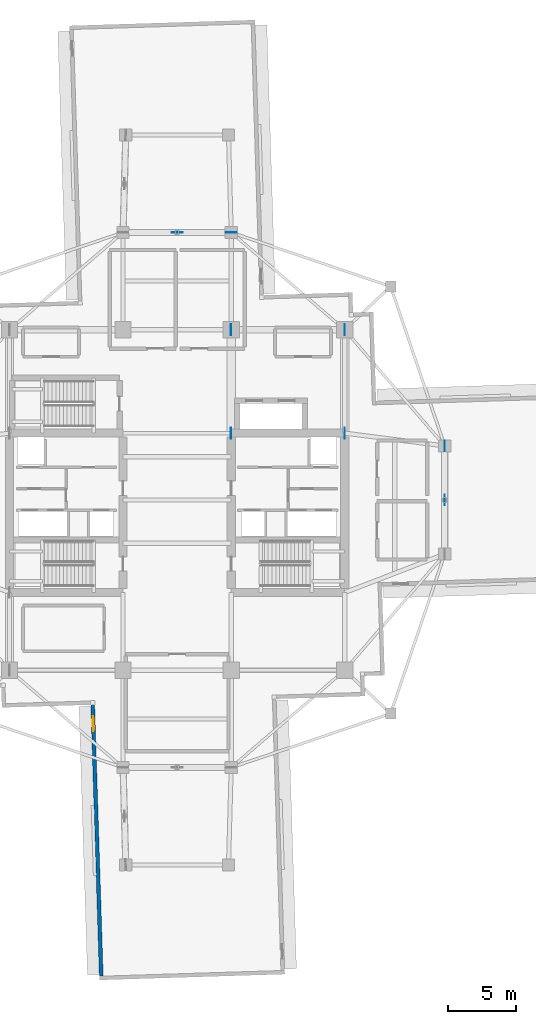
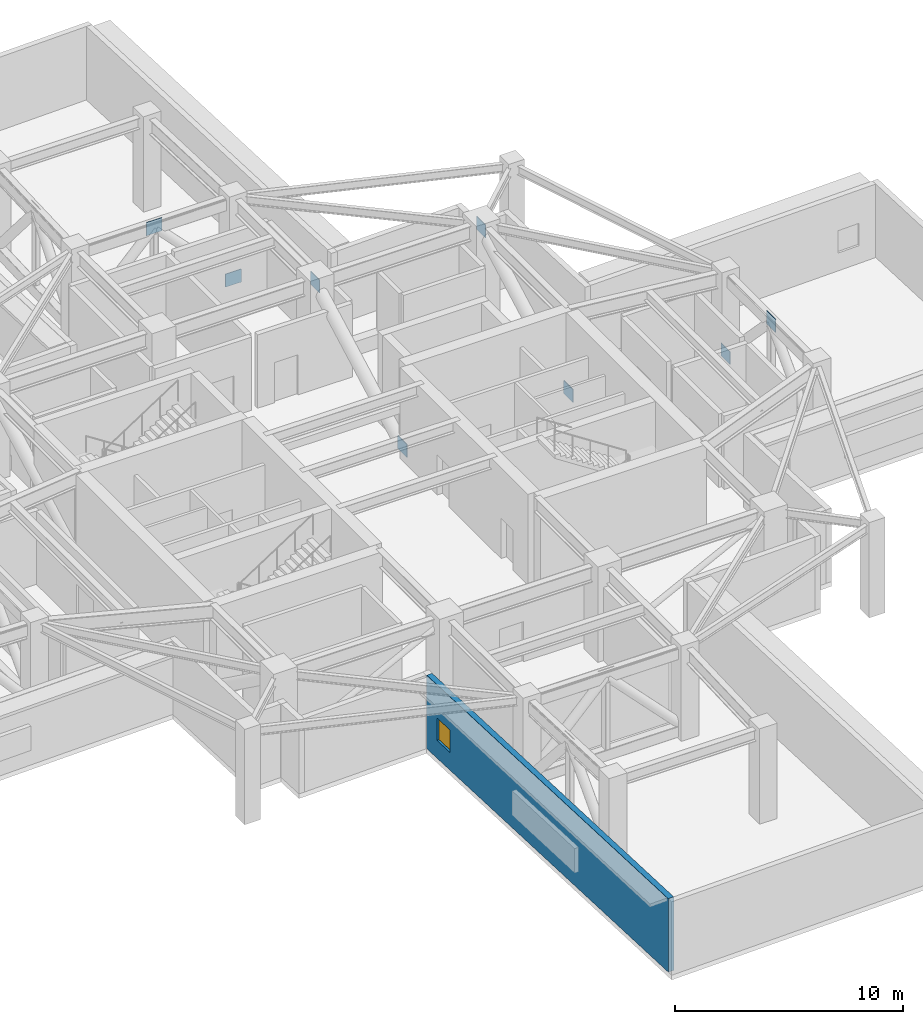
# One storey, part 8 of 17: 8 plates, 1 wall, 1 window, 1 opening.
"""IFC4 building model written with IfcOpenShell, lengths in metres."""

from ifc_helpers import new_model, si_unit, direction, frame, frame_2d, origin, origin_2d, place, context, subcontext, project, spatial, rectangle, extrude, material, layer, layer_set, type_object, element, fill, save


model = new_model("IFC4")

# Units and contexts
model_context = context("Model", 3, precision=1e-05, world=origin(), true_north=direction((0.0, 1.0)))
body_context = subcontext(model_context, "Body", "Model", "MODEL_VIEW")
ifc_project = project(units=[si_unit("LENGTHUNIT", "METRE"), si_unit("AREAUNIT", "SQUARE_METRE"), si_unit("VOLUMEUNIT", "CUBIC_METRE"), si_unit("PLANEANGLEUNIT", "RADIAN"), si_unit("MASSUNIT", "GRAM", prefix="KILO")], contexts=[model_context])

# Site, building, storey
site_placement = place(None, origin())
site = spatial("IfcSite", under=ifc_project, at=site_placement, CompositionType="ELEMENT")
building_placement = place(site_placement, origin())
building = spatial("IfcBuilding", under=site, at=building_placement, Name="Qingluan Cross Belvedere", CompositionType="ELEMENT")
storey_placement = place(building_placement, frame((0.0, 0.0, 191.699951171875)))
storey = spatial("IfcBuildingStorey", under=building, at=storey_placement, Name="L48", CompositionType="ELEMENT", Elevation=191.699951171875)

# Plates
ifc_material_1 = material(Name="Steel Q420GJB", Category="steel")
ifc_layer_1 = layer(ifc_material_1, 0.031982421875, Name="GussetPlate_32")
ifc_layer_set_1 = layer_set([ifc_layer_1], Name="Steel Q420GJB")
plate_type = type_object("IfcPlateType", Name="GussetPlate_32", PredefinedType="SHEET", material=ifc_layer_set_1)
for number, where, z_axis, x_axis, name in (
    (1, (19.800048828125, 0.0, 4.14990234375), (0.0, 0.0, 1.0), (0.0, 1.0, 0.0), "Belt truss gusset node plate L48-E-M"),
    (2, (19.800048828125, 4.0, 0.0), (0.0, 0.0, 1.0), (0.0, 1.0, 0.0), "Belt truss gusset node plate L48-E-B"),
    (3, (0.0, 19.800048828125, 4.14990234375), (0.0, 0.0, 1.0), (1.0, 0.0, 0.0), "Belt truss gusset node plate L48-N-M"),
    (4, (4.0, 19.800048828125, 0.0), (0.0, 0.0, 1.0), (1.0, 0.0, 0.0), "Belt truss gusset node plate L48-N-B"),
    (5, (12.39990234375, 4.949951171875, 0.0), (0.0, 0.0, 1.0), (0.0, 1.0, 0.0), "Outrigger end connection plate L48-OEN-BOT"),
    (6, (12.39990234375, 12.60009765625, 4.14990234375), (0.0, 0.0, 1.0), (0.0, 1.0, 0.0), "Outrigger end connection plate L48-OEN-TOP"),
    (7, (4.0, 4.949951171875, 0.0), (0.0, 0.0, 1.0), (0.0, 1.0, 0.0), "Outrigger end connection plate L48-OCE-BOT"),
    (8, (4.0, 12.60009765625, 4.14990234375), (0.0, 0.0, 1.0), (0.0, 1.0, 0.0), "Outrigger end connection plate L48-OCE-TOP"),
):
    element("IfcPlate", number, at=place(storey_placement, frame(where, z_axis=z_axis, x_axis=x_axis)), inside=storey, type_object=plate_type, Name=name, PredefinedType="SHEET", context=body_context, shape_type="SweptSolid", body=[
        extrude(rectangle(XDim=0.800048828125, YDim=0.031982421875, at=origin_2d()), origin(), (0.0, 0.0, 1.0), 0.699951171875),
    ])

# Wall, opening, window
ifc_material_2 = material(Name="Precast concrete C45", Category="concrete")
ifc_layer_2 = layer(ifc_material_2, 0.280029296875, Name="PrecastFacadeWall_280")
ifc_layer_set_2 = layer_set([ifc_layer_2], Name="Precast concrete C45")
wall_type = type_object("IfcWallType", Name="PrecastFacadeWall_280", PredefinedType="STANDARD", material=ifc_layer_set_2)
wall_placement = place(storey_placement, frame((-6.247314453125, -15.143798828125, 0.0), z_axis=(0.0, 0.0, 1.0), x_axis=(0.031398187845, -0.999506955354, 0.0)))
wall = element("IfcWall", 9, at=wall_placement, inside=storey, type_object=wall_type, Name="Facade wall L48-SA", PredefinedType="STANDARD", context=body_context, shape_type="SweptSolid", body=[
    extrude(rectangle(XDim=20.10009765625, YDim=0.280029296875, at=frame_2d((10.050048828125, 0.0))), origin(), (0.0, 0.0, 1.0), 3.929931640625),
])
opening_placement = place(wall_placement, frame((0.85009765625, 0.0, 0.949951171875)))
opening = element("IfcOpeningElement", 10, at=opening_placement, cuts=wall, Name="Opening W-07", PredefinedType="OPENING", context=body_context, shape_type="SweptSolid", body=[
    extrude(rectangle(XDim=1.10009765625, YDim=1.199951171875, at=frame_2d((0.550048828125, 0.60009765625))), frame((0.0, 0.14990234375, 0.0), z_axis=(0.0, -1.0, 0.0), x_axis=(1.0, 0.0, 0.0)), (0.0, 0.0, 1.0), 0.300048828125),
])
ifc_material_3 = material(Name="Thermally broken triple Low-E glass in aluminium frame", Category="aluminium")
window_type = type_object("IfcWindowType", Name="RefugeSmokeWin_1100x1200", PartitioningType="SINGLE_PANEL", PredefinedType="WINDOW", material=ifc_material_3)
window_placement = place(opening_placement, origin())
window = element("IfcWindow", 11, at=window_placement, inside=storey, type_object=window_type, Name="Refuge operable smoke window L48-SA", OverallHeight=1.199951171875, OverallWidth=1.10009765625, PartitioningType="SINGLE_PANEL", PredefinedType="WINDOW", context=body_context, shape_type="SweptSolid", body=[
    extrude(rectangle(XDim=1.10009765625, YDim=1.199951171875, at=frame_2d((0.550048828125, 0.60009765625))), frame((0.0, 0.030029296875, 0.0), z_axis=(0.0, -1.0, 0.0), x_axis=(1.0, 0.0, 0.0)), (0.0, 0.0, 1.0), 0.06005859375),
])
fill(opening, window)

save(model, "model.ifc")
